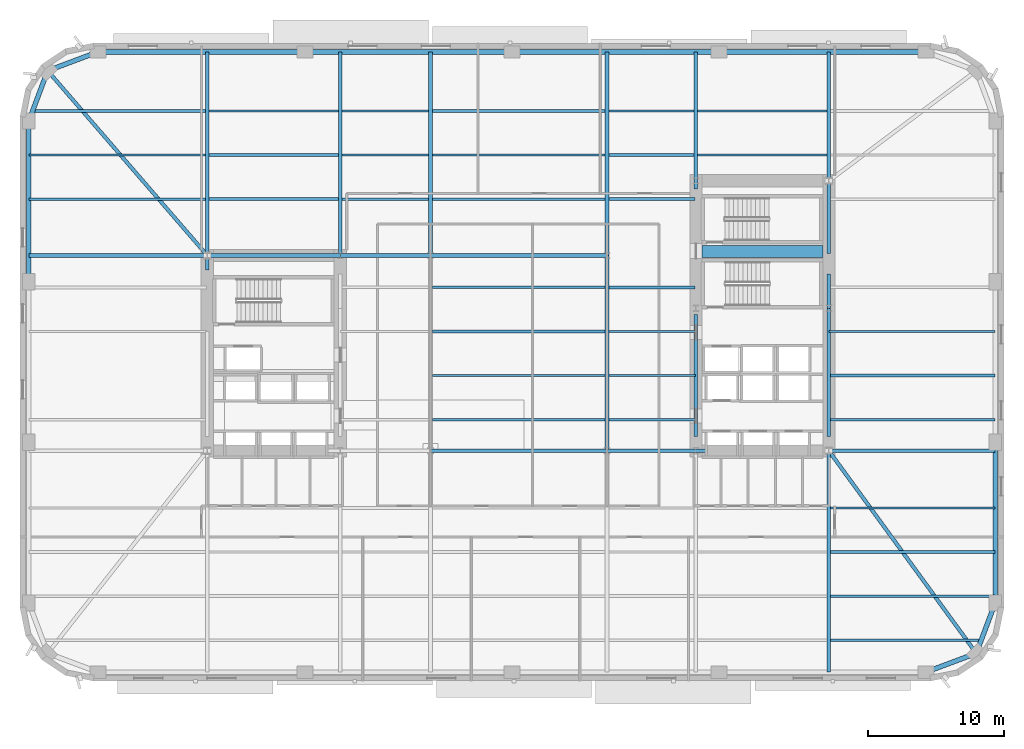
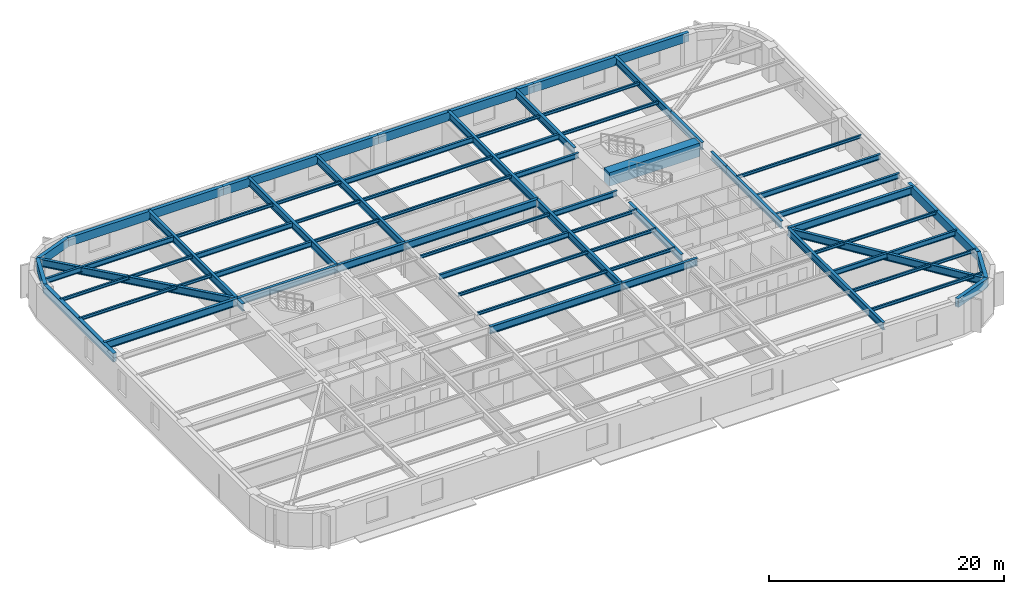
# One storey, part 2 of 15: 64 beams.
"""IFC4 building model written with IfcOpenShell, lengths in metres."""

from ifc_helpers import new_model, si_unit, direction, frame, origin, origin_2d, place, context, subcontext, project, spatial, rectangle, hollow_rectangle, i_section, extrude, material, material_profile, profile_set, type_object, element, save


model = new_model("IFC4")

# Units and contexts
model_context = context("Model", 3, precision=1e-05, world=origin(), true_north=direction((0.0, 1.0)))
body_context = subcontext(model_context, "Body", "Model", "MODEL_VIEW")
ifc_project = project(units=[si_unit("LENGTHUNIT", "METRE"), si_unit("AREAUNIT", "SQUARE_METRE"), si_unit("VOLUMEUNIT", "CUBIC_METRE"), si_unit("PLANEANGLEUNIT", "RADIAN"), si_unit("MASSUNIT", "GRAM", prefix="KILO")], contexts=[model_context])

# Site, building, storey
site_placement = place(None, origin())
site = spatial("IfcSite", under=ifc_project, at=site_placement, CompositionType="ELEMENT")
building_placement = place(site_placement, origin())
building = spatial("IfcBuilding", under=site, at=building_placement, Name="Kolvaren Arena Tower", CompositionType="ELEMENT")
storey_placement = place(building_placement, frame((0.0, 0.0, 49.5)))
storey = spatial("IfcBuildingStorey", under=building, at=storey_placement, Name="L09", CompositionType="ELEMENT", Elevation=49.5)

# Beams
ifc_material_1 = material(Name="Steel CSA G40.21 350W", Category="steel")
ifc_material_profile_1 = material_profile(ifc_material_1, i_section(OverallWidth=0.2119140625, OverallDepth=0.54296875, WebThickness=0.01318359375, FlangeThickness=0.0244140625, FilletRadius=0.013916015625, at=origin_2d()), Name="W530x150")
ifc_profile_set_1 = profile_set([ifc_material_profile_1], Name="Steel CSA G40.21 350W")
beam_type_1 = type_object("IfcBeamType", Name="BEAM-F1", PredefinedType="BEAM", material=ifc_profile_set_1)
beam_1_placement = place(storey_placement, frame((60.485107421875, 12.0, 3.20849609375), z_axis=(1.0, 0.0, 0.0), x_axis=(0.0, 1.0, 0.0)))
element("IfcBeam", 1, at=beam_1_placement, inside=storey, type_object=beam_type_1, Name="Composite Floor Beam (L09)", PredefinedType="BEAM", context=body_context, shape_type="SweptSolid", body=[
    extrude(i_section(OverallWidth=0.2119140625, OverallDepth=0.54296875, WebThickness=0.01318359375, FlangeThickness=0.0244140625, FilletRadius=0.013916015625, at=origin_2d()), origin(), (0.0, 0.0, 1.0), 12.114990234375),
])
for number, where, z_axis, x_axis, name in (
    (2, (60.3701171875, 21.75, 3.20849609375), (1.0, 0.0, 0.0), (0.0, 1.0, 0.0), "Composite Floor Beam (L09)"),
    (3, (60.3701171875, 25.0, 3.20849609375), (1.0, 0.0, 0.0), (0.0, 1.0, 0.0), "Composite Floor Beam (L09)"),
):
    element("IfcBeam", number, at=place(storey_placement, frame(where, z_axis=z_axis, x_axis=x_axis)), inside=storey, type_object=beam_type_1, Name=name, PredefinedType="BEAM", context=body_context, shape_type="SweptSolid", body=[
        extrude(i_section(OverallWidth=0.2119140625, OverallDepth=0.54296875, WebThickness=0.01318359375, FlangeThickness=0.0244140625, FilletRadius=0.013916015625, at=origin_2d()), origin(), (0.0, 0.0, 1.0), 12.22998046875),
    ])
beam_2_placement = place(storey_placement, frame((31.135009765625, 28.25, 3.20849609375), z_axis=(1.0, 0.0, 0.0), x_axis=(0.0, 1.0, 0.0)))
element("IfcBeam", 4, at=beam_2_placement, inside=storey, type_object=beam_type_1, Name="Composite Floor Beam (L09)", PredefinedType="BEAM", context=body_context, shape_type="SweptSolid", body=[
    extrude(i_section(OverallWidth=0.2119140625, OverallDepth=0.54296875, WebThickness=0.01318359375, FlangeThickness=0.0244140625, FilletRadius=0.013916015625, at=origin_2d()), origin(), (0.0, 0.0, 1.0), 12.72998046875),
])
beam_3_placement = place(storey_placement, frame((44.135009765625, 31.5, 3.20849609375), z_axis=(1.0, 0.0, 0.0), x_axis=(0.0, 1.0, 0.0)))
element("IfcBeam", 5, at=beam_3_placement, inside=storey, type_object=beam_type_1, Name="Composite Floor Beam (L09)", PredefinedType="BEAM", context=body_context, shape_type="SweptSolid", body=[
    extrude(i_section(OverallWidth=0.2119140625, OverallDepth=0.54296875, WebThickness=0.01318359375, FlangeThickness=0.0244140625, FilletRadius=0.013916015625, at=origin_2d()), origin(), (0.0, 0.0, 1.0), 6.344970703125),
])
beam_4_placement = place(storey_placement, frame((14.68505859375, 38.0, 3.20849609375), z_axis=(1.0, 0.0, 0.0), x_axis=(0.0, 1.0, 0.0)))
element("IfcBeam", 6, at=beam_4_placement, inside=storey, type_object=beam_type_1, Name="Composite Floor Beam (L09)", PredefinedType="BEAM", context=body_context, shape_type="SweptSolid", body=[
    extrude(i_section(OverallWidth=0.2119140625, OverallDepth=0.54296875, WebThickness=0.01318359375, FlangeThickness=0.0244140625, FilletRadius=0.013916015625, at=origin_2d()), origin(), (0.0, 0.0, 1.0), 9.530029296875),
])
beam_5_placement = place(storey_placement, frame((44.135009765625, 38.0, 3.20849609375), z_axis=(1.0, 0.0, 0.0), x_axis=(0.0, 1.0, 0.0)))
element("IfcBeam", 7, at=beam_5_placement, inside=storey, type_object=beam_type_1, Name="Composite Floor Beam (L09)", PredefinedType="BEAM", context=body_context, shape_type="SweptSolid", body=[
    extrude(i_section(OverallWidth=0.2119140625, OverallDepth=0.54296875, WebThickness=0.01318359375, FlangeThickness=0.0244140625, FilletRadius=0.013916015625, at=origin_2d()), origin(), (0.0, 0.0, 1.0), 6.344970703125),
])
beam_6_placement = place(storey_placement, frame((14.68505859375, 41.25, 3.20849609375), z_axis=(1.0, 0.0, 0.0), x_axis=(0.0, 1.0, 0.0)))
element("IfcBeam", 8, at=beam_6_placement, inside=storey, type_object=beam_type_1, Name="Composite Floor Beam (L09)", PredefinedType="BEAM", context=body_context, shape_type="SweptSolid", body=[
    extrude(i_section(OverallWidth=0.2119140625, OverallDepth=0.54296875, WebThickness=0.01318359375, FlangeThickness=0.0244140625, FilletRadius=0.013916015625, at=origin_2d()), origin(), (0.0, 0.0, 1.0), 9.530029296875),
])
beam_7_placement = place(storey_placement, frame((44.135009765625, 41.25, 3.20849609375), z_axis=(1.0, 0.0, 0.0), x_axis=(0.0, 1.0, 0.0)))
element("IfcBeam", 9, at=beam_7_placement, inside=storey, type_object=beam_type_1, Name="Composite Floor Beam (L09)", PredefinedType="BEAM", context=body_context, shape_type="SweptSolid", body=[
    extrude(i_section(OverallWidth=0.2119140625, OverallDepth=0.54296875, WebThickness=0.01318359375, FlangeThickness=0.0244140625, FilletRadius=0.013916015625, at=origin_2d()), origin(), (0.0, 0.0, 1.0), 6.280029296875),
])
beam_8_placement = place(storey_placement, frame((1.681396484375, 44.5, 3.20849609375), z_axis=(1.0, 0.0, 0.0), x_axis=(0.0, 1.0, 0.0)))
element("IfcBeam", 10, at=beam_8_placement, inside=storey, type_object=beam_type_1, Name="Composite Floor Beam (L09)", PredefinedType="BEAM", context=body_context, shape_type="SweptSolid", body=[
    extrude(i_section(OverallWidth=0.2119140625, OverallDepth=0.54296875, WebThickness=0.01318359375, FlangeThickness=0.0244140625, FilletRadius=0.013916015625, at=origin_2d()), origin(), (0.0, 0.0, 1.0), 12.733642578125),
])
beam_9_placement = place(storey_placement, frame((31.135009765625, 44.5, 3.20849609375), z_axis=(1.0, 0.0, 0.0), x_axis=(0.0, 1.0, 0.0)))
element("IfcBeam", 11, at=beam_9_placement, inside=storey, type_object=beam_type_1, Name="Composite Floor Beam (L09)", PredefinedType="BEAM", context=body_context, shape_type="SweptSolid", body=[
    extrude(i_section(OverallWidth=0.2119140625, OverallDepth=0.54296875, WebThickness=0.01318359375, FlangeThickness=0.0244140625, FilletRadius=0.013916015625, at=origin_2d()), origin(), (0.0, 0.0, 1.0), 12.72998046875),
])
ifc_material_2 = material(Name="Concrete 75 MPa", Category="concrete")
ifc_material_profile_2 = material_profile(ifc_material_2, rectangle(XDim=0.89990234375, YDim=1.39990234375, at=origin_2d()), Name="RC-900x1400")
ifc_profile_set_2 = profile_set([ifc_material_profile_2], Name="Concrete 75 MPa")
beam_type_2 = type_object("IfcBeamType", Name="CB-CORE-1", PredefinedType="BEAM", material=ifc_profile_set_2)
beam_10_placement = place(storey_placement, frame((51.0, 34.14990234375, 3.050048828125), z_axis=(1.0, 0.0, 0.0), x_axis=(0.0, 1.0, 0.0)))
element("IfcBeam", 12, at=beam_10_placement, inside=storey, type_object=beam_type_2, Name="East Core Coupling Beam (L09)", PredefinedType="BEAM", context=body_context, shape_type="SweptSolid", body=[
    extrude(rectangle(XDim=0.89990234375, YDim=1.39990234375, at=origin_2d()), origin(), (0.0, 0.0, 1.0), 8.89990234375),
])
ifc_material_profile_3 = material_profile(ifc_material_1, i_section(OverallWidth=0.27001953125, OverallDepth=0.77294921875, WebThickness=0.019287109375, FlangeThickness=0.033447265625, FilletRadius=0.01806640625, at=origin_2d()), Name="W760x257")
ifc_profile_set_3 = profile_set([ifc_material_profile_3], Name="Steel CSA G40.21 350W")
beam_type_3 = type_object("IfcBeamType", Name="GIRD-T1", PredefinedType="BEAM", material=ifc_profile_set_3)
beam_11_placement = place(storey_placement, frame((71.208740234375, 4.541259765625, 3.093505859375), z_axis=(-0.588737448901, 0.80832432616, 0.0), x_axis=(-0.80832432616, -0.588737448901, 0.0)))
element("IfcBeam", 13, at=beam_11_placement, inside=storey, type_object=beam_type_3, Name="Corner Diagonal Tie Girder (L09)", PredefinedType="BEAM", context=body_context, shape_type="SweptSolid", body=[
    extrude(i_section(OverallWidth=0.27001953125, OverallDepth=0.77294921875, WebThickness=0.019287109375, FlangeThickness=0.033447265625, FilletRadius=0.01806640625, at=origin_2d()), origin(), (0.0, 0.0, 1.0), 18.44384765625),
])
beam_12_placement = place(storey_placement, frame((2.791259765625, 47.458740234375, 3.093505859375), z_axis=(0.653806810332, -0.756661519283, 0.0), x_axis=(0.756661519283, 0.653806810332, 0.0)))
element("IfcBeam", 14, at=beam_12_placement, inside=storey, type_object=beam_type_3, Name="Corner Diagonal Tie Girder (L09)", PredefinedType="BEAM", context=body_context, shape_type="SweptSolid", body=[
    extrude(i_section(OverallWidth=0.27001953125, OverallDepth=0.77294921875, WebThickness=0.019287109375, FlangeThickness=0.033447265625, FilletRadius=0.01806640625, at=origin_2d()), origin(), (0.0, 0.0, 1.0), 17.985107421875),
])
beam_13_placement = place(storey_placement, frame((31.0, 19.449951171875, 3.093505859375), z_axis=(1.0, 0.0, 0.0), x_axis=(0.0, 1.0, 0.0)))
element("IfcBeam", 15, at=beam_13_placement, inside=storey, type_object=beam_type_3, Name="Primary Floor Girder (L09)", PredefinedType="BEAM", context=body_context, shape_type="SweptSolid", body=[
    extrude(i_section(OverallWidth=0.27001953125, OverallDepth=0.77294921875, WebThickness=0.019287109375, FlangeThickness=0.033447265625, FilletRadius=0.01806640625, at=origin_2d()), origin(), (0.0, 0.0, 1.0), 13.0),
])
beam_14_placement = place(storey_placement, frame((44.0, 19.449951171875, 3.093505859375), z_axis=(1.0, 0.0, 0.0), x_axis=(0.0, 1.0, 0.0)))
element("IfcBeam", 16, at=beam_14_placement, inside=storey, type_object=beam_type_3, Name="Primary Floor Girder (L09)", PredefinedType="BEAM", context=body_context, shape_type="SweptSolid", body=[
    extrude(i_section(OverallWidth=0.27001953125, OverallDepth=0.77294921875, WebThickness=0.019287109375, FlangeThickness=0.033447265625, FilletRadius=0.01806640625, at=origin_2d()), origin(), (0.0, 0.0, 1.0), 7.4150390625),
])
beam_15_placement = place(storey_placement, frame((60.35009765625, 19.449951171875, 3.093505859375), z_axis=(1.0, 0.0, 0.0), x_axis=(0.0, 1.0, 0.0)))
element("IfcBeam", 17, at=beam_15_placement, inside=storey, type_object=beam_type_3, Name="Primary Floor Girder (L09)", PredefinedType="BEAM", context=body_context, shape_type="SweptSolid", body=[
    extrude(i_section(OverallWidth=0.27001953125, OverallDepth=0.77294921875, WebThickness=0.019287109375, FlangeThickness=0.033447265625, FilletRadius=0.01806640625, at=origin_2d()), origin(), (0.0, 0.0, 1.0), 12.25),
])
beam_16_placement = place(storey_placement, frame((1.39990234375, 33.85009765625, 3.093505859375), z_axis=(1.0, 0.0, 0.0), x_axis=(0.0, 1.0, 0.0)))
element("IfcBeam", 18, at=beam_16_placement, inside=storey, type_object=beam_type_3, Name="Primary Floor Girder (L09)", PredefinedType="BEAM", context=body_context, shape_type="SweptSolid", body=[
    extrude(i_section(OverallWidth=0.27001953125, OverallDepth=0.77294921875, WebThickness=0.019287109375, FlangeThickness=0.033447265625, FilletRadius=0.01806640625, at=origin_2d()), origin(), (0.0, 0.0, 1.0), 13.150146484375),
])
beam_17_placement = place(storey_placement, frame((14.550048828125, 33.85009765625, 3.093505859375), z_axis=(1.0, 0.0, 0.0), x_axis=(0.0, 1.0, 0.0)))
element("IfcBeam", 19, at=beam_17_placement, inside=storey, type_object=beam_type_3, Name="Primary Floor Girder (L09)", PredefinedType="BEAM", context=body_context, shape_type="SweptSolid", body=[
    extrude(i_section(OverallWidth=0.27001953125, OverallDepth=0.77294921875, WebThickness=0.019287109375, FlangeThickness=0.033447265625, FilletRadius=0.01806640625, at=origin_2d()), origin(), (0.0, 0.0, 1.0), 9.800048828125),
])
beam_18_placement = place(storey_placement, frame((24.35009765625, 33.85009765625, 3.093505859375), z_axis=(1.0, 0.0, 0.0), x_axis=(0.0, 1.0, 0.0)))
element("IfcBeam", 20, at=beam_18_placement, inside=storey, type_object=beam_type_3, Name="Primary Floor Girder (L09)", PredefinedType="BEAM", context=body_context, shape_type="SweptSolid", body=[
    extrude(i_section(OverallWidth=0.27001953125, OverallDepth=0.77294921875, WebThickness=0.019287109375, FlangeThickness=0.033447265625, FilletRadius=0.01806640625, at=origin_2d()), origin(), (0.0, 0.0, 1.0), 6.64990234375),
])
beam_19_placement = place(storey_placement, frame((31.0, 33.85009765625, 3.093505859375), z_axis=(1.0, 0.0, 0.0), x_axis=(0.0, 1.0, 0.0)))
element("IfcBeam", 21, at=beam_19_placement, inside=storey, type_object=beam_type_3, Name="Primary Floor Girder (L09)", PredefinedType="BEAM", context=body_context, shape_type="SweptSolid", body=[
    extrude(i_section(OverallWidth=0.27001953125, OverallDepth=0.77294921875, WebThickness=0.019287109375, FlangeThickness=0.033447265625, FilletRadius=0.01806640625, at=origin_2d()), origin(), (0.0, 0.0, 1.0), 13.0),
])
beam_20_placement = place(storey_placement, frame((14.550048828125, 32.7900390625, 3.093505859375), z_axis=(0.0, 1.0, 0.0), x_axis=(-1.0, 0.0, 0.0)))
element("IfcBeam", 22, at=beam_20_placement, inside=storey, type_object=beam_type_3, Name="Primary Floor Girder (L09)", PredefinedType="BEAM", context=body_context, shape_type="SweptSolid", body=[
    extrude(i_section(OverallWidth=0.27001953125, OverallDepth=0.77294921875, WebThickness=0.019287109375, FlangeThickness=0.033447265625, FilletRadius=0.01806640625, at=origin_2d()), origin(), (0.0, 0.0, 1.0), 16.06005859375),
])
for number, where, z_axis, x_axis, name in (
    (23, (24.35009765625, 33.85009765625, 3.093505859375), (0.0, 1.0, 0.0), (-1.0, 0.0, 0.0), "Primary Floor Girder (L09)"),
    (24, (31.0, 33.85009765625, 3.093505859375), (0.0, 1.0, 0.0), (-1.0, 0.0, 0.0), "Primary Floor Girder (L09)"),
):
    element("IfcBeam", number, at=place(storey_placement, frame(where, z_axis=z_axis, x_axis=x_axis)), inside=storey, type_object=beam_type_3, Name=name, PredefinedType="BEAM", context=body_context, shape_type="SweptSolid", body=[
        extrude(i_section(OverallWidth=0.27001953125, OverallDepth=0.77294921875, WebThickness=0.019287109375, FlangeThickness=0.033447265625, FilletRadius=0.01806640625, at=origin_2d()), origin(), (0.0, 0.0, 1.0), 15.0),
    ])
beam_21_placement = place(storey_placement, frame((44.0, 19.449951171875, 3.093505859375), z_axis=(0.0, 1.0, 0.0), x_axis=(-1.0, 0.0, 0.0)))
element("IfcBeam", 25, at=beam_21_placement, inside=storey, type_object=beam_type_3, Name="Primary Floor Girder (L09)", PredefinedType="BEAM", context=body_context, shape_type="SweptSolid", body=[
    extrude(i_section(OverallWidth=0.27001953125, OverallDepth=0.77294921875, WebThickness=0.019287109375, FlangeThickness=0.033447265625, FilletRadius=0.01806640625, at=origin_2d()), origin(), (0.0, 0.0, 1.0), 14.400146484375),
])
beam_22_placement = place(storey_placement, frame((44.0, 33.85009765625, 3.093505859375), z_axis=(0.0, 1.0, 0.0), x_axis=(-1.0, 0.0, 0.0)))
element("IfcBeam", 26, at=beam_22_placement, inside=storey, type_object=beam_type_3, Name="Primary Floor Girder (L09)", PredefinedType="BEAM", context=body_context, shape_type="SweptSolid", body=[
    extrude(i_section(OverallWidth=0.27001953125, OverallDepth=0.77294921875, WebThickness=0.019287109375, FlangeThickness=0.033447265625, FilletRadius=0.01806640625, at=origin_2d()), origin(), (0.0, 0.0, 1.0), 15.0),
])
beam_23_placement = place(storey_placement, frame((50.550048828125, 20.5, 3.093505859375), z_axis=(0.0, 1.0, 0.0), x_axis=(-1.0, 0.0, 0.0)))
element("IfcBeam", 27, at=beam_23_placement, inside=storey, type_object=beam_type_3, Name="Primary Floor Girder (L09)", PredefinedType="BEAM", context=body_context, shape_type="SweptSolid", body=[
    extrude(i_section(OverallWidth=0.27001953125, OverallDepth=0.77294921875, WebThickness=0.019287109375, FlangeThickness=0.033447265625, FilletRadius=0.01806640625, at=origin_2d()), origin(), (0.0, 0.0, 1.0), 8.989990234375),
])
beam_24_placement = place(storey_placement, frame((50.550048828125, 38.760009765625, 3.093505859375), z_axis=(0.0, 1.0, 0.0), x_axis=(-1.0, 0.0, 0.0)))
element("IfcBeam", 28, at=beam_24_placement, inside=storey, type_object=beam_type_3, Name="Primary Floor Girder (L09)", PredefinedType="BEAM", context=body_context, shape_type="SweptSolid", body=[
    extrude(i_section(OverallWidth=0.27001953125, OverallDepth=0.77294921875, WebThickness=0.019287109375, FlangeThickness=0.033447265625, FilletRadius=0.01806640625, at=origin_2d()), origin(), (0.0, 0.0, 1.0), 10.090087890625),
])
beam_25_placement = place(storey_placement, frame((60.35009765625, 3.14990234375, 3.093505859375), z_axis=(0.0, 1.0, 0.0), x_axis=(-1.0, 0.0, 0.0)))
element("IfcBeam", 29, at=beam_25_placement, inside=storey, type_object=beam_type_3, Name="Primary Floor Girder (L09)", PredefinedType="BEAM", context=body_context, shape_type="SweptSolid", body=[
    extrude(i_section(OverallWidth=0.27001953125, OverallDepth=0.77294921875, WebThickness=0.019287109375, FlangeThickness=0.033447265625, FilletRadius=0.01806640625, at=origin_2d()), origin(), (0.0, 0.0, 1.0), 16.300048828125),
])
beam_26_placement = place(storey_placement, frame((60.35009765625, 20.5, 3.093505859375), z_axis=(0.0, 1.0, 0.0), x_axis=(-1.0, 0.0, 0.0)))
element("IfcBeam", 30, at=beam_26_placement, inside=storey, type_object=beam_type_3, Name="Primary Floor Girder (L09)", PredefinedType="BEAM", context=body_context, shape_type="SweptSolid", body=[
    extrude(i_section(OverallWidth=0.27001953125, OverallDepth=0.77294921875, WebThickness=0.019287109375, FlangeThickness=0.033447265625, FilletRadius=0.01806640625, at=origin_2d()), origin(), (0.0, 0.0, 1.0), 9.449951171875),
])
beam_27_placement = place(storey_placement, frame((60.35009765625, 29.949951171875, 3.093505859375), z_axis=(0.0, 1.0, 0.0), x_axis=(-1.0, 0.0, 0.0)))
element("IfcBeam", 31, at=beam_27_placement, inside=storey, type_object=beam_type_3, Name="Primary Floor Girder (L09)", PredefinedType="BEAM", context=body_context, shape_type="SweptSolid", body=[
    extrude(i_section(OverallWidth=0.27001953125, OverallDepth=0.77294921875, WebThickness=0.019287109375, FlangeThickness=0.033447265625, FilletRadius=0.01806640625, at=origin_2d()), origin(), (0.0, 0.0, 1.0), 2.550048828125),
])
beam_28_placement = place(storey_placement, frame((60.35009765625, 33.985107421875, 3.093505859375), z_axis=(0.0, 1.0, 0.0), x_axis=(-1.0, 0.0, 0.0)))
element("IfcBeam", 32, at=beam_28_placement, inside=storey, type_object=beam_type_3, Name="Primary Floor Girder (L09)", PredefinedType="BEAM", context=body_context, shape_type="SweptSolid", body=[
    extrude(i_section(OverallWidth=0.27001953125, OverallDepth=0.77294921875, WebThickness=0.019287109375, FlangeThickness=0.033447265625, FilletRadius=0.01806640625, at=origin_2d()), origin(), (0.0, 0.0, 1.0), 5.364990234375),
])
beam_29_placement = place(storey_placement, frame((60.35009765625, 39.35009765625, 3.093505859375), z_axis=(0.0, 1.0, 0.0), x_axis=(-1.0, 0.0, 0.0)))
element("IfcBeam", 33, at=beam_29_placement, inside=storey, type_object=beam_type_3, Name="Primary Floor Girder (L09)", PredefinedType="BEAM", context=body_context, shape_type="SweptSolid", body=[
    extrude(i_section(OverallWidth=0.27001953125, OverallDepth=0.77294921875, WebThickness=0.019287109375, FlangeThickness=0.033447265625, FilletRadius=0.01806640625, at=origin_2d()), origin(), (0.0, 0.0, 1.0), 9.5),
])
ifc_material_profile_4 = material_profile(ifc_material_1, i_section(OverallWidth=0.1669921875, OverallDepth=0.31689453125, WebThickness=0.007568359375, FlangeThickness=0.01318359375, FilletRadius=0.010009765625, at=origin_2d()), Name="W310x52")
ifc_profile_set_4 = profile_set([ifc_material_profile_4], Name="Steel CSA G40.21 350W")
beam_type_4 = type_object("IfcBeamType", Name="JOIST-02", PredefinedType="JOIST", material=ifc_profile_set_4)
beam_30_placement = place(storey_placement, frame((60.485107421875, 5.5, 3.321533203125), z_axis=(1.0, 0.0, 0.0), x_axis=(0.0, 1.0, 0.0)))
element("IfcBeam", 34, at=beam_30_placement, inside=storey, type_object=beam_type_4, Name="Composite Floor Joist (L09)", PredefinedType="JOIST", context=body_context, shape_type="SweptSolid", body=[
    extrude(i_section(OverallWidth=0.1669921875, OverallDepth=0.31689453125, WebThickness=0.007568359375, FlangeThickness=0.01318359375, FilletRadius=0.010009765625, at=origin_2d()), origin(), (0.0, 0.0, 1.0), 11.08349609375),
])
for number, where, z_axis, x_axis, name in (
    (35, (60.485107421875, 8.75, 3.321533203125), (1.0, 0.0, 0.0), (0.0, 1.0, 0.0), "Composite Floor Joist (L09)"),
    (36, (60.485107421875, 15.25, 3.321533203125), (1.0, 0.0, 0.0), (0.0, 1.0, 0.0), "Composite Floor Joist (L09)"),
):
    element("IfcBeam", number, at=place(storey_placement, frame(where, z_axis=z_axis, x_axis=x_axis)), inside=storey, type_object=beam_type_4, Name=name, PredefinedType="JOIST", context=body_context, shape_type="SweptSolid", body=[
        extrude(i_section(OverallWidth=0.1669921875, OverallDepth=0.31689453125, WebThickness=0.007568359375, FlangeThickness=0.01318359375, FilletRadius=0.010009765625, at=origin_2d()), origin(), (0.0, 0.0, 1.0), 12.114990234375),
    ])
beam_31_placement = place(storey_placement, frame((31.135009765625, 21.75, 3.321533203125), z_axis=(1.0, 0.0, 0.0), x_axis=(0.0, 1.0, 0.0)))
element("IfcBeam", 37, at=beam_31_placement, inside=storey, type_object=beam_type_4, Name="Composite Floor Joist (L09)", PredefinedType="JOIST", context=body_context, shape_type="SweptSolid", body=[
    extrude(i_section(OverallWidth=0.1669921875, OverallDepth=0.31689453125, WebThickness=0.007568359375, FlangeThickness=0.01318359375, FilletRadius=0.010009765625, at=origin_2d()), origin(), (0.0, 0.0, 1.0), 12.72998046875),
])
beam_32_placement = place(storey_placement, frame((44.135009765625, 21.75, 3.321533203125), z_axis=(1.0, 0.0, 0.0), x_axis=(0.0, 1.0, 0.0)))
element("IfcBeam", 38, at=beam_32_placement, inside=storey, type_object=beam_type_4, Name="Composite Floor Joist (L09)", PredefinedType="JOIST", context=body_context, shape_type="SweptSolid", body=[
    extrude(i_section(OverallWidth=0.1669921875, OverallDepth=0.31689453125, WebThickness=0.007568359375, FlangeThickness=0.01318359375, FilletRadius=0.010009765625, at=origin_2d()), origin(), (0.0, 0.0, 1.0), 6.39501953125),
])
beam_33_placement = place(storey_placement, frame((31.135009765625, 25.0, 3.321533203125), z_axis=(1.0, 0.0, 0.0), x_axis=(0.0, 1.0, 0.0)))
element("IfcBeam", 39, at=beam_33_placement, inside=storey, type_object=beam_type_4, Name="Composite Floor Joist (L09)", PredefinedType="JOIST", context=body_context, shape_type="SweptSolid", body=[
    extrude(i_section(OverallWidth=0.1669921875, OverallDepth=0.31689453125, WebThickness=0.007568359375, FlangeThickness=0.01318359375, FilletRadius=0.010009765625, at=origin_2d()), origin(), (0.0, 0.0, 1.0), 12.72998046875),
])
for number, where, z_axis, x_axis, name in (
    (40, (44.135009765625, 25.0, 3.321533203125), (1.0, 0.0, 0.0), (0.0, 1.0, 0.0), "Composite Floor Joist (L09)"),
    (41, (44.135009765625, 28.25, 3.321533203125), (1.0, 0.0, 0.0), (0.0, 1.0, 0.0), "Composite Floor Joist (L09)"),
):
    element("IfcBeam", number, at=place(storey_placement, frame(where, z_axis=z_axis, x_axis=x_axis)), inside=storey, type_object=beam_type_4, Name=name, PredefinedType="JOIST", context=body_context, shape_type="SweptSolid", body=[
        extrude(i_section(OverallWidth=0.1669921875, OverallDepth=0.31689453125, WebThickness=0.007568359375, FlangeThickness=0.01318359375, FilletRadius=0.010009765625, at=origin_2d()), origin(), (0.0, 0.0, 1.0), 6.39501953125),
    ])
beam_34_placement = place(storey_placement, frame((60.3701171875, 28.25, 3.321533203125), z_axis=(1.0, 0.0, 0.0), x_axis=(0.0, 1.0, 0.0)))
element("IfcBeam", 42, at=beam_34_placement, inside=storey, type_object=beam_type_4, Name="Composite Floor Joist (L09)", PredefinedType="JOIST", context=body_context, shape_type="SweptSolid", body=[
    extrude(i_section(OverallWidth=0.1669921875, OverallDepth=0.31689453125, WebThickness=0.007568359375, FlangeThickness=0.01318359375, FilletRadius=0.010009765625, at=origin_2d()), origin(), (0.0, 0.0, 1.0), 12.22998046875),
])
beam_35_placement = place(storey_placement, frame((31.135009765625, 31.5, 3.321533203125), z_axis=(1.0, 0.0, 0.0), x_axis=(0.0, 1.0, 0.0)))
element("IfcBeam", 43, at=beam_35_placement, inside=storey, type_object=beam_type_4, Name="Composite Floor Joist (L09)", PredefinedType="JOIST", context=body_context, shape_type="SweptSolid", body=[
    extrude(i_section(OverallWidth=0.1669921875, OverallDepth=0.31689453125, WebThickness=0.007568359375, FlangeThickness=0.01318359375, FilletRadius=0.010009765625, at=origin_2d()), origin(), (0.0, 0.0, 1.0), 12.72998046875),
])
beam_36_placement = place(storey_placement, frame((1.39990234375, 38.0, 3.321533203125), z_axis=(1.0, 0.0, 0.0), x_axis=(0.0, 1.0, 0.0)))
element("IfcBeam", 44, at=beam_36_placement, inside=storey, type_object=beam_type_4, Name="Composite Floor Joist (L09)", PredefinedType="JOIST", context=body_context, shape_type="SweptSolid", body=[
    extrude(i_section(OverallWidth=0.1669921875, OverallDepth=0.31689453125, WebThickness=0.007568359375, FlangeThickness=0.01318359375, FilletRadius=0.010009765625, at=origin_2d()), origin(), (0.0, 0.0, 1.0), 13.01513671875),
])
beam_37_placement = place(storey_placement, frame((24.485107421875, 38.0, 3.321533203125), z_axis=(1.0, 0.0, 0.0), x_axis=(0.0, 1.0, 0.0)))
element("IfcBeam", 45, at=beam_37_placement, inside=storey, type_object=beam_type_4, Name="Composite Floor Joist (L09)", PredefinedType="JOIST", context=body_context, shape_type="SweptSolid", body=[
    extrude(i_section(OverallWidth=0.1669921875, OverallDepth=0.31689453125, WebThickness=0.007568359375, FlangeThickness=0.01318359375, FilletRadius=0.010009765625, at=origin_2d()), origin(), (0.0, 0.0, 1.0), 6.3798828125),
])
beam_38_placement = place(storey_placement, frame((31.135009765625, 38.0, 3.321533203125), z_axis=(1.0, 0.0, 0.0), x_axis=(0.0, 1.0, 0.0)))
element("IfcBeam", 46, at=beam_38_placement, inside=storey, type_object=beam_type_4, Name="Composite Floor Joist (L09)", PredefinedType="JOIST", context=body_context, shape_type="SweptSolid", body=[
    extrude(i_section(OverallWidth=0.1669921875, OverallDepth=0.31689453125, WebThickness=0.007568359375, FlangeThickness=0.01318359375, FilletRadius=0.010009765625, at=origin_2d()), origin(), (0.0, 0.0, 1.0), 12.72998046875),
])
beam_39_placement = place(storey_placement, frame((1.39990234375, 41.25, 3.321533203125), z_axis=(1.0, 0.0, 0.0), x_axis=(0.0, 1.0, 0.0)))
element("IfcBeam", 47, at=beam_39_placement, inside=storey, type_object=beam_type_4, Name="Composite Floor Joist (L09)", PredefinedType="JOIST", context=body_context, shape_type="SweptSolid", body=[
    extrude(i_section(OverallWidth=0.1669921875, OverallDepth=0.31689453125, WebThickness=0.007568359375, FlangeThickness=0.01318359375, FilletRadius=0.010009765625, at=origin_2d()), origin(), (0.0, 0.0, 1.0), 13.01513671875),
])
beam_40_placement = place(storey_placement, frame((24.485107421875, 41.25, 3.321533203125), z_axis=(1.0, 0.0, 0.0), x_axis=(0.0, 1.0, 0.0)))
element("IfcBeam", 48, at=beam_40_placement, inside=storey, type_object=beam_type_4, Name="Composite Floor Joist (L09)", PredefinedType="JOIST", context=body_context, shape_type="SweptSolid", body=[
    extrude(i_section(OverallWidth=0.1669921875, OverallDepth=0.31689453125, WebThickness=0.007568359375, FlangeThickness=0.01318359375, FilletRadius=0.010009765625, at=origin_2d()), origin(), (0.0, 0.0, 1.0), 6.3798828125),
])
beam_41_placement = place(storey_placement, frame((31.135009765625, 41.25, 3.321533203125), z_axis=(1.0, 0.0, 0.0), x_axis=(0.0, 1.0, 0.0)))
element("IfcBeam", 49, at=beam_41_placement, inside=storey, type_object=beam_type_4, Name="Composite Floor Joist (L09)", PredefinedType="JOIST", context=body_context, shape_type="SweptSolid", body=[
    extrude(i_section(OverallWidth=0.1669921875, OverallDepth=0.31689453125, WebThickness=0.007568359375, FlangeThickness=0.01318359375, FilletRadius=0.010009765625, at=origin_2d()), origin(), (0.0, 0.0, 1.0), 12.72998046875),
])
for number, where, z_axis, x_axis, name in (
    (50, (50.68505859375, 41.25, 3.321533203125), (1.0, 0.0, 0.0), (0.0, 1.0, 0.0), "Composite Floor Joist (L09)"),
    (51, (14.68505859375, 44.5, 3.321533203125), (1.0, 0.0, 0.0), (0.0, 1.0, 0.0), "Composite Floor Joist (L09)"),
):
    element("IfcBeam", number, at=place(storey_placement, frame(where, z_axis=z_axis, x_axis=x_axis)), inside=storey, type_object=beam_type_4, Name=name, PredefinedType="JOIST", context=body_context, shape_type="SweptSolid", body=[
        extrude(i_section(OverallWidth=0.1669921875, OverallDepth=0.31689453125, WebThickness=0.007568359375, FlangeThickness=0.01318359375, FilletRadius=0.010009765625, at=origin_2d()), origin(), (0.0, 0.0, 1.0), 9.530029296875),
    ])
beam_42_placement = place(storey_placement, frame((24.485107421875, 44.5, 3.321533203125), z_axis=(1.0, 0.0, 0.0), x_axis=(0.0, 1.0, 0.0)))
element("IfcBeam", 52, at=beam_42_placement, inside=storey, type_object=beam_type_4, Name="Composite Floor Joist (L09)", PredefinedType="JOIST", context=body_context, shape_type="SweptSolid", body=[
    extrude(i_section(OverallWidth=0.1669921875, OverallDepth=0.31689453125, WebThickness=0.007568359375, FlangeThickness=0.01318359375, FilletRadius=0.010009765625, at=origin_2d()), origin(), (0.0, 0.0, 1.0), 6.3798828125),
])
beam_43_placement = place(storey_placement, frame((44.135009765625, 44.5, 3.321533203125), z_axis=(1.0, 0.0, 0.0), x_axis=(0.0, 1.0, 0.0)))
element("IfcBeam", 53, at=beam_43_placement, inside=storey, type_object=beam_type_4, Name="Composite Floor Joist (L09)", PredefinedType="JOIST", context=body_context, shape_type="SweptSolid", body=[
    extrude(i_section(OverallWidth=0.1669921875, OverallDepth=0.31689453125, WebThickness=0.007568359375, FlangeThickness=0.01318359375, FilletRadius=0.010009765625, at=origin_2d()), origin(), (0.0, 0.0, 1.0), 6.280029296875),
])
beam_44_placement = place(storey_placement, frame((50.68505859375, 44.5, 3.321533203125), z_axis=(1.0, 0.0, 0.0), x_axis=(0.0, 1.0, 0.0)))
element("IfcBeam", 54, at=beam_44_placement, inside=storey, type_object=beam_type_4, Name="Composite Floor Joist (L09)", PredefinedType="JOIST", context=body_context, shape_type="SweptSolid", body=[
    extrude(i_section(OverallWidth=0.1669921875, OverallDepth=0.31689453125, WebThickness=0.007568359375, FlangeThickness=0.01318359375, FilletRadius=0.010009765625, at=origin_2d()), origin(), (0.0, 0.0, 1.0), 9.530029296875),
])
ifc_material_3 = material(Name="Steel CSA G40.21 350WT", Category="steel")
ifc_material_profile_5 = material_profile(ifc_material_3, hollow_rectangle(XDim=0.35009765625, YDim=0.89990234375, WallThickness=0.02001953125, at=origin_2d()), Name="HSS 900x350x20")
ifc_profile_set_5 = profile_set([ifc_material_profile_5], Name="Steel CSA G40.21 350WT")
beam_type_5 = type_object("IfcBeamType", Name="SPAND-01", PredefinedType="SPANDREL", material=ifc_profile_set_5)
for number, where, z_axis, x_axis, name in (
    (55, (67.5, 3.14990234375, 3.030029296875), (0.93628104365, 0.351251771955, 0.0), (-0.351251771955, 0.93628104365, 0.0), "Perimeter Spandrel Beam (L09)"),
    (56, (71.208740234375, 4.541259765625, 3.030029296875), (0.351251771955, 0.93628104365, 0.0), (-0.93628104365, 0.351251771955, 0.0), "Perimeter Spandrel Beam (L09)"),
):
    element("IfcBeam", number, at=place(storey_placement, frame(where, z_axis=z_axis, x_axis=x_axis)), inside=storey, type_object=beam_type_5, Name=name, PredefinedType="SPANDREL", context=body_context, shape_type="SweptSolid", body=[
        extrude(hollow_rectangle(XDim=0.35009765625, YDim=0.89990234375, WallThickness=0.02001953125, at=origin_2d()), origin(), (0.0, 0.0, 1.0), 3.961181640625),
    ])
beam_45_placement = place(storey_placement, frame((72.60009765625, 8.25, 3.030029296875), z_axis=(0.0, 1.0, 0.0), x_axis=(-1.0, 0.0, 0.0)))
element("IfcBeam", 57, at=beam_45_placement, inside=storey, type_object=beam_type_5, Name="Perimeter Spandrel Beam (L09)", PredefinedType="SPANDREL", context=body_context, shape_type="SweptSolid", body=[
    extrude(hollow_rectangle(XDim=0.35009765625, YDim=0.89990234375, WallThickness=0.02001953125, at=origin_2d()), origin(), (0.0, 0.0, 1.0), 11.833251953125),
])
for number, where, z_axis, x_axis, name in (
    (58, (67.5, 48.85009765625, 3.030029296875), (-1.0, 0.0, 0.0), (0.0, -1.0, 0.0), "Perimeter Spandrel Beam (L09)"),
    (59, (52.25, 48.85009765625, 3.030029296875), (-1.0, 0.0, 0.0), (0.0, -1.0, 0.0), "Perimeter Spandrel Beam (L09)"),
    (60, (37.0, 48.85009765625, 3.030029296875), (-1.0, 0.0, 0.0), (0.0, -1.0, 0.0), "Perimeter Spandrel Beam (L09)"),
    (61, (21.75, 48.85009765625, 3.030029296875), (-1.0, 0.0, 0.0), (0.0, -1.0, 0.0), "Perimeter Spandrel Beam (L09)"),
):
    element("IfcBeam", number, at=place(storey_placement, frame(where, z_axis=z_axis, x_axis=x_axis)), inside=storey, type_object=beam_type_5, Name=name, PredefinedType="SPANDREL", context=body_context, shape_type="SweptSolid", body=[
        extrude(hollow_rectangle(XDim=0.35009765625, YDim=0.89990234375, WallThickness=0.02001953125, at=origin_2d()), origin(), (0.0, 0.0, 1.0), 15.25),
    ])
for number, where, z_axis, x_axis, name in (
    (62, (6.5, 48.85009765625, 3.030029296875), (-0.93628104365, -0.351251771955, 0.0), (0.351251771955, -0.93628104365, 0.0), "Perimeter Spandrel Beam (L09)"),
    (63, (2.791259765625, 47.458740234375, 3.030029296875), (-0.351251771955, -0.93628104365, 0.0), (0.93628104365, -0.351251771955, 0.0), "Perimeter Spandrel Beam (L09)"),
):
    element("IfcBeam", number, at=place(storey_placement, frame(where, z_axis=z_axis, x_axis=x_axis)), inside=storey, type_object=beam_type_5, Name=name, PredefinedType="SPANDREL", context=body_context, shape_type="SweptSolid", body=[
        extrude(hollow_rectangle(XDim=0.35009765625, YDim=0.89990234375, WallThickness=0.02001953125, at=origin_2d()), origin(), (0.0, 0.0, 1.0), 3.961181640625),
    ])
beam_46_placement = place(storey_placement, frame((1.39990234375, 43.75, 3.030029296875), z_axis=(0.0, -1.0, 0.0), x_axis=(1.0, 0.0, 0.0)))
element("IfcBeam", 64, at=beam_46_placement, inside=storey, type_object=beam_type_5, Name="Perimeter Spandrel Beam (L09)", PredefinedType="SPANDREL", context=body_context, shape_type="SweptSolid", body=[
    extrude(hollow_rectangle(XDim=0.35009765625, YDim=0.89990234375, WallThickness=0.02001953125, at=origin_2d()), origin(), (0.0, 0.0, 1.0), 11.833251953125),
])

save(model, "model.ifc")
